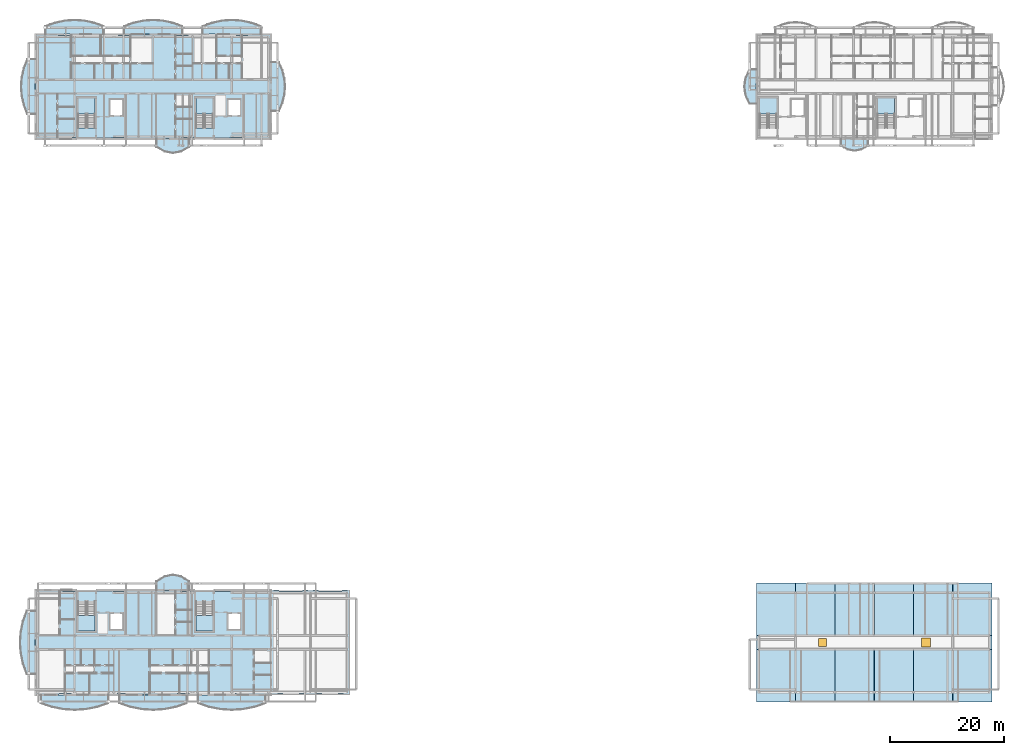
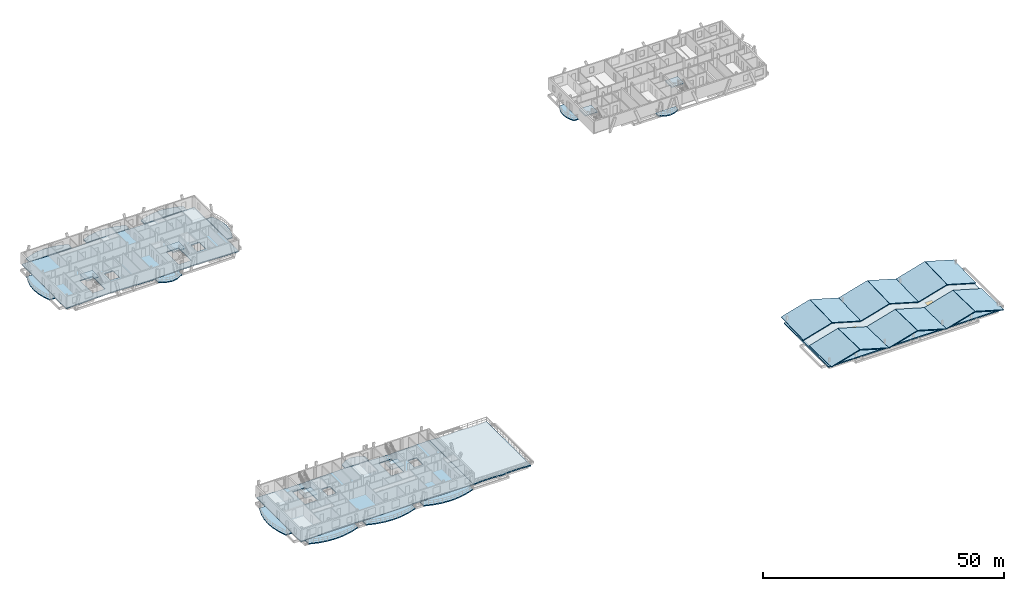
# One storey, part 8 of 33: 35 slabs, 2 windows, 2 openings, 6 elements without a shape of their own.
"""IFC4 building model written with IfcOpenShell, lengths in metres."""

from ifc_helpers import new_model, si_unit, direction, frame, origin, origin_2d, place, context, subcontext, project, spatial, polyline, rectangle, outline, extrude, material, layer, layer_set, type_object, element, fill, aggregate, save


model = new_model("IFC4")

# Units and contexts
model_context = context("Model", 3, precision=1e-05, world=origin(), true_north=direction((0.0, 1.0)))
body_context = subcontext(model_context, "Body", "Model", "MODEL_VIEW")
ifc_project = project(units=[si_unit("LENGTHUNIT", "METRE"), si_unit("AREAUNIT", "SQUARE_METRE"), si_unit("VOLUMEUNIT", "CUBIC_METRE"), si_unit("PLANEANGLEUNIT", "RADIAN"), si_unit("MASSUNIT", "GRAM", prefix="KILO")], contexts=[model_context])

# Site, building, storey
site_placement = place(None, origin())
site = spatial("IfcSite", under=ifc_project, at=site_placement, CompositionType="ELEMENT")
building_placement = place(site_placement, origin())
building = spatial("IfcBuilding", under=site, at=building_placement, Name="Zavelmont Quarter", CompositionType="ELEMENT")
storey_placement = place(building_placement, frame((0.0, 0.0, 30.39990234375)))
storey = spatial("IfcBuildingStorey", under=building, at=storey_placement, Name="L09", CompositionType="ELEMENT", Elevation=30.39990234375)

# Slabs
ifc_material_1 = material(Name="White architectural precast concrete C40/50", Category="concrete")
ifc_layer_1 = layer(ifc_material_1, 0.199951171875)
ifc_layer_set_1 = layer_set([ifc_layer_1], Name="White architectural precast concrete C40/50")
slab_type_1 = type_object("IfcSlabType", Name="CRDN1", PredefinedType="ROOF", material=ifc_layer_set_1)
slab_1_placement = place(storey_placement, frame((126.60009765625, 10.375, 0.47509765625), z_axis=(-0.278264021149, -0.02588048519, 0.960155890999), x_axis=(0.960477608597, 0.0, 0.278357258542)))
element("IfcSlab", 1, at=slab_1_placement, inside=storey, type_object=slab_type_1, Name="Block D pleated crown roof CRDN1", PredefinedType="ROOF", context=body_context, shape_type="SweptSolid", body=[
    extrude(outline(polyline([(0.0, 0.0), (7.1525592948565135, -6.938893903907228e-18), (7.222148609492001, 9.278010067540764), (0.06958931463548745, 9.278010067540764), (0.0, 0.0)])), origin(), (0.0, 0.0, -1.0), 0.199951171875),
])
ifc_layer_2 = layer(ifc_material_1, 0.199951171875)
ifc_layer_set_2 = layer_set([ifc_layer_2], Name="White architectural precast concrete C40/50")
slab_type_2 = type_object("IfcSlabType", Name="CRDN2", PredefinedType="ROOF", material=ifc_layer_set_2)
slab_2_placement = place(storey_placement, frame((133.530029296875, 10.375, 2.466064453125), z_axis=(0.278264021149, -0.02588048519, 0.960155890999), x_axis=(0.960477608597, 0.0, -0.278357258542)))
element("IfcSlab", 2, at=slab_2_placement, inside=storey, type_object=slab_type_2, Name="Block D pleated crown roof CRDN2", PredefinedType="ROOF", context=body_context, shape_type="SweptSolid", body=[
    extrude(outline(polyline([(0.0, 0.0), (7.1525592948565135, 6.938893903907228e-18), (7.0829699802210255, 9.278010067540764), (-0.06958931463548745, 9.278010067540764), (0.0, 0.0)])), origin(), (0.0, 0.0, -1.0), 0.199951171875),
])
ifc_layer_3 = layer(ifc_material_1, 0.199951171875)
ifc_layer_set_3 = layer_set([ifc_layer_3], Name="White architectural precast concrete C40/50")
slab_type_3 = type_object("IfcSlabType", Name="CRDN3", PredefinedType="ROOF", material=ifc_layer_set_3)
slab_3_placement = place(storey_placement, frame((140.39990234375, 10.375, 0.47509765625), z_axis=(-0.278254898233, -0.025880556403, 0.960158532957), x_axis=(0.960480253212, 0.0, 0.278348133082)))
element("IfcSlab", 3, at=slab_3_placement, inside=storey, type_object=slab_type_3, Name="Block D pleated crown roof CRDN3", PredefinedType="ROOF", context=body_context, shape_type="SweptSolid", body=[
    extrude(outline(polyline([(0.0, 0.0), (7.1527937867830085, 6.938893903907228e-18), (7.222380820053628, 9.278010084651765), (0.06958703327061955, 9.278010084651765), (0.0, 0.0)])), origin(), (0.0, 0.0, -1.0), 0.199951171875),
])
ifc_layer_4 = layer(ifc_material_1, 0.199951171875)
ifc_layer_set_4 = layer_set([ifc_layer_4], Name="White architectural precast concrete C40/50")
slab_type_4 = type_object("IfcSlabType", Name="CRDN4", PredefinedType="ROOF", material=ifc_layer_set_4)
slab_4_placement = place(storey_placement, frame((147.330078125, 10.375, 2.466064453125), z_axis=(0.278264021149, -0.02588048519, 0.960155890999), x_axis=(0.960477608597, 0.0, -0.278357258542)))
element("IfcSlab", 4, at=slab_4_placement, inside=storey, type_object=slab_type_4, Name="Block D pleated crown roof CRDN4", PredefinedType="ROOF", context=body_context, shape_type="SweptSolid", body=[
    extrude(outline(polyline([(0.0, 0.0), (7.1525592948565135, 6.938893903907228e-18), (7.0829699802210255, 9.278010067540764), (-0.06958931463548745, 9.278010067540764), (0.0, 0.0)])), origin(), (0.0, 0.0, -1.0), 0.199951171875),
])
ifc_layer_5 = layer(ifc_material_1, 0.199951171875)
ifc_layer_set_5 = layer_set([ifc_layer_5], Name="White architectural precast concrete C40/50")
slab_type_5 = type_object("IfcSlabType", Name="CRDN5", PredefinedType="ROOF", material=ifc_layer_set_5)
slab_5_placement = place(storey_placement, frame((154.199951171875, 10.375, 0.47509765625), z_axis=(-0.278254898233, -0.025880556403, 0.960158532957), x_axis=(0.960480253212, 0.0, 0.278348133082)))
element("IfcSlab", 5, at=slab_5_placement, inside=storey, type_object=slab_type_5, Name="Block D pleated crown roof CRDN5", PredefinedType="ROOF", context=body_context, shape_type="SweptSolid", body=[
    extrude(outline(polyline([(0.0, 0.0), (7.1527937867830085, 6.938893903907228e-18), (7.222380820053628, 9.278010084651765), (0.06958703327061955, 9.278010084651765), (0.0, 0.0)])), origin(), (0.0, 0.0, -1.0), 0.199951171875),
])
ifc_layer_6 = layer(ifc_material_1, 0.199951171875)
ifc_layer_set_6 = layer_set([ifc_layer_6], Name="White architectural precast concrete C40/50")
slab_type_6 = type_object("IfcSlabType", Name="CRDN6", PredefinedType="ROOF", material=ifc_layer_set_6)
slab_6_placement = place(storey_placement, frame((161.1298828125, 10.375, 2.466064453125), z_axis=(0.278254898233, -0.025880556403, 0.960158532957), x_axis=(0.960480253212, 0.0, -0.278348133082)))
element("IfcSlab", 6, at=slab_6_placement, inside=storey, type_object=slab_type_6, Name="Block D pleated crown roof CRDN6", PredefinedType="ROOF", context=body_context, shape_type="SweptSolid", body=[
    extrude(outline(polyline([(0.0, 0.0), (7.1527937867830085, -6.938893903907228e-18), (7.083206753512389, 9.278010084651765), (-0.06958703327061955, 9.278010084651765), (0.0, 0.0)])), origin(), (0.0, 0.0, -1.0), 0.199951171875),
])
ifc_layer_7 = layer(ifc_material_1, 0.199951171875)
ifc_layer_set_7 = layer_set([ifc_layer_7], Name="White architectural precast concrete C40/50")
slab_type_7 = type_object("IfcSlabType", Name="CRDS1", PredefinedType="ROOF", material=ifc_layer_set_7)
slab_7_placement = place(storey_placement, frame((126.60009765625, -1.25, 0.72509765625), z_axis=(-0.278263518709, 0.02595011236, 0.960154157323), x_axis=(0.960477608597, 0.0, 0.278357258542)))
element("IfcSlab", 7, at=slab_7_placement, inside=storey, type_object=slab_type_7, Name="Block D pleated crown roof CRDS1", PredefinedType="ROOF", context=body_context, shape_type="SweptSolid", body=[
    extrude(outline(polyline([(0.0, 0.0), (7.1525592948565135, 6.938893903907228e-18), (7.0829699802210255, 9.253116087420961), (-0.06958931463548745, 9.253116087420961), (0.0, 0.0)])), origin(), (0.0, 0.0, -1.0), 0.199951171875),
])
ifc_layer_8 = layer(ifc_material_1, 0.199951171875)
ifc_layer_set_8 = layer_set([ifc_layer_8], Name="White architectural precast concrete C40/50")
slab_type_8 = type_object("IfcSlabType", Name="CRDS2", PredefinedType="ROOF", material=ifc_layer_set_8)
slab_8_placement = place(storey_placement, frame((133.530029296875, -1.25, 2.716064453125), z_axis=(0.278263518709, 0.02595011236, 0.960154157323), x_axis=(0.960477608597, 0.0, -0.278357258542)))
element("IfcSlab", 8, at=slab_8_placement, inside=storey, type_object=slab_type_8, Name="Block D pleated crown roof CRDS2", PredefinedType="ROOF", context=body_context, shape_type="SweptSolid", body=[
    extrude(outline(polyline([(0.0, 0.0), (7.1525592948565135, -6.938893903907228e-18), (7.222148609492001, 9.25311608742096), (0.06958931463548745, 9.253116087420961), (0.0, 0.0)])), origin(), (0.0, 0.0, -1.0), 0.199951171875),
])
ifc_layer_9 = layer(ifc_material_1, 0.199951171875)
ifc_layer_set_9 = layer_set([ifc_layer_9], Name="White architectural precast concrete C40/50")
slab_type_9 = type_object("IfcSlabType", Name="CRDS3", PredefinedType="ROOF", material=ifc_layer_set_9)
slab_9_placement = place(storey_placement, frame((140.39990234375, -1.25, 0.72509765625), z_axis=(-0.278254395807, 0.025950183764, 0.960156799266), x_axis=(0.960480253212, 0.0, 0.278348133082)))
element("IfcSlab", 9, at=slab_9_placement, inside=storey, type_object=slab_type_9, Name="Block D pleated crown roof CRDS3", PredefinedType="ROOF", context=body_context, shape_type="SweptSolid", body=[
    extrude(outline(polyline([(0.0, 0.0), (7.1527937867830085, 0.0), (7.083206753512389, 9.253116104577991), (-0.06958703327061955, 9.253116104577991), (0.0, 0.0)])), origin(), (0.0, 0.0, -1.0), 0.199951171875),
])
ifc_layer_10 = layer(ifc_material_1, 0.199951171875)
ifc_layer_set_10 = layer_set([ifc_layer_10], Name="White architectural precast concrete C40/50")
slab_type_10 = type_object("IfcSlabType", Name="CRDS4", PredefinedType="ROOF", material=ifc_layer_set_10)
slab_10_placement = place(storey_placement, frame((147.330078125, -1.25, 2.716064453125), z_axis=(0.278263518709, 0.02595011236, 0.960154157323), x_axis=(0.960477608597, 0.0, -0.278357258542)))
element("IfcSlab", 10, at=slab_10_placement, inside=storey, type_object=slab_type_10, Name="Block D pleated crown roof CRDS4", PredefinedType="ROOF", context=body_context, shape_type="SweptSolid", body=[
    extrude(outline(polyline([(0.0, 0.0), (7.1525592948565135, -6.938893903907228e-18), (7.222148609492001, 9.25311608742096), (0.06958931463548745, 9.253116087420961), (0.0, 0.0)])), origin(), (0.0, 0.0, -1.0), 0.199951171875),
])
ifc_layer_11 = layer(ifc_material_1, 0.199951171875)
ifc_layer_set_11 = layer_set([ifc_layer_11], Name="White architectural precast concrete C40/50")
slab_type_11 = type_object("IfcSlabType", Name="CRDS5", PredefinedType="ROOF", material=ifc_layer_set_11)
slab_11_placement = place(storey_placement, frame((154.199951171875, -1.25, 0.72509765625), z_axis=(-0.278254395807, 0.025950183764, 0.960156799266), x_axis=(0.960480253212, 0.0, 0.278348133082)))
element("IfcSlab", 11, at=slab_11_placement, inside=storey, type_object=slab_type_11, Name="Block D pleated crown roof CRDS5", PredefinedType="ROOF", context=body_context, shape_type="SweptSolid", body=[
    extrude(outline(polyline([(0.0, 0.0), (7.1527937867830085, 0.0), (7.083206753512389, 9.253116104577991), (-0.06958703327061955, 9.253116104577991), (0.0, 0.0)])), origin(), (0.0, 0.0, -1.0), 0.199951171875),
])
ifc_layer_12 = layer(ifc_material_1, 0.199951171875)
ifc_layer_set_12 = layer_set([ifc_layer_12], Name="White architectural precast concrete C40/50")
slab_type_12 = type_object("IfcSlabType", Name="CRDS6", PredefinedType="ROOF", material=ifc_layer_set_12)
slab_12_placement = place(storey_placement, frame((161.1298828125, -1.25, 2.716064453125), z_axis=(0.278254395807, 0.025950183764, 0.960156799266), x_axis=(0.960480253212, 0.0, -0.278348133082)))
element("IfcSlab", 12, at=slab_12_placement, inside=storey, type_object=slab_type_12, Name="Block D pleated crown roof CRDS6", PredefinedType="ROOF", context=body_context, shape_type="SweptSolid", body=[
    extrude(outline(polyline([(0.0, 0.0), (7.1527937867830085, 0.0), (7.222380820053628, 9.253116104577991), (0.06958703327061955, 9.253116104577991), (0.0, 0.0)])), origin(), (0.0, 0.0, -1.0), 0.199951171875),
])
ifc_layer_13 = layer(ifc_material_1, 0.235107421875)
ifc_layer_set_13 = layer_set([ifc_layer_13], Name="White architectural precast concrete C40/50")
slab_type_13 = type_object("IfcSlabType", Name="SL-BL180", PredefinedType="FLOOR", material=ifc_layer_set_13)
slab_13_placement = place(storey_placement, frame((0.0, 0.0, -0.23486328125)))
element("IfcSlab", 13, at=slab_13_placement, inside=storey, type_object=slab_type_13, Name="L09 Block A street vase 2 balcony SL-BL180", PredefinedType="FLOOR", context=body_context, shape_type="SweptSolid", body=[
    extrude(outline(polyline([(14.796630859375, -0.02001953125), (14.796630859375, -1.4912109375), (16.764404296875, -2.14208984375), (18.732177734375, -2.53271484375), (20.699951171875, -2.6630859375), (22.667724609375, -2.53271484375), (24.635498046875, -2.14208984375), (26.603515625, -1.4912109375), (26.603515625, -0.02001953125), (14.796630859375, -0.02001953125)])), origin(), (0.0, 0.0, 1.0), 0.23486328125),
])
slab_14_placement = place(storey_placement, frame((0.0, 0.0, -0.23486328125)))
element("IfcSlab", 14, at=slab_14_placement, inside=storey, type_object=slab_type_13, Name="L09 Block A boulevard vase balcony SL-BL180", PredefinedType="FLOOR", context=body_context, shape_type="SweptSolid", body=[
    extrude(outline(polyline([(-0.02001953125, 14.73291015625), (-1.4912109375, 14.73291015625), (-2.14208984375, 12.888671875), (-2.53271484375, 11.044189453125), (-2.6630859375, 9.199951171875), (-2.53271484375, 7.355712890625), (-2.14208984375, 5.511474609375), (-1.4912109375, 3.6669921875), (-0.02001953125, 3.6669921875), (-0.02001953125, 14.73291015625)])), origin(), (0.0, 0.0, 1.0), 0.23486328125),
])
slab_15_placement = place(storey_placement, frame((0.0, 0.0, -0.23486328125)))
element("IfcSlab", 15, at=slab_15_placement, inside=storey, type_object=slab_type_13, Name="L09 Block B street vase 2 balcony SL-BL180", PredefinedType="FLOOR", context=body_context, shape_type="SweptSolid", body=[
    extrude(outline(polyline([(25.796142578125, 116.02001953125), (25.796142578125, 117.385009765625), (24.097412109375, 117.989501953125), (22.398681640625, 118.35205078125), (20.699951171875, 118.472900390625), (19.001220703125, 118.35205078125), (17.302490234375, 117.989501953125), (15.603759765625, 117.385009765625), (15.603759765625, 116.02001953125), (25.796142578125, 116.02001953125)])), origin(), (0.0, 0.0, 1.0), 0.23486328125),
])
slab_16_placement = place(storey_placement, frame((0.0, 0.0, -0.23486328125)))
element("IfcSlab", 16, at=slab_16_placement, inside=storey, type_object=slab_type_13, Name="L09 Block B boulevard vase balcony SL-BL180", PredefinedType="FLOOR", context=body_context, shape_type="SweptSolid", body=[
    extrude(outline(polyline([(-0.02001953125, 111.60400390625), (-1.385009765625, 111.60400390625), (-1.989501953125, 110.002685546875), (-2.35205078125, 108.4013671875), (-2.472900390625, 106.800048828125), (-2.35205078125, 105.198486328125), (-1.989501953125, 103.597412109375), (-1.385009765625, 101.995849609375), (-0.02001953125, 101.995849609375), (-0.02001953125, 111.60400390625)])), origin(), (0.0, 0.0, 1.0), 0.23486328125),
])
ifc_layer_14 = layer(ifc_material_1, 0.2451171875)
ifc_layer_set_14 = layer_set([ifc_layer_14], Name="White architectural precast concrete C40/50")
slab_type_14 = type_object("IfcSlabType", Name="SL-BL200", PredefinedType="FLOOR", material=ifc_layer_set_14)
slab_17_placement = place(storey_placement, frame((0.0, 0.0, -0.244873046875)))
element("IfcSlab", 17, at=slab_17_placement, inside=storey, type_object=slab_type_14, Name="L09 Block A street vase 1 balcony SL-BL200", PredefinedType="FLOOR", context=body_context, shape_type="SweptSolid", body=[
    extrude(outline(polyline([(0.99658203125, -0.02001953125), (0.99658203125, -1.4912109375), (2.96435546875, -2.14208984375), (4.93212890625, -2.53271484375), (6.89990234375, -2.6630859375), (8.867919921875, -2.53271484375), (10.835693359375, -2.14208984375), (12.803466796875, -1.4912109375), (12.803466796875, -0.02001953125), (0.99658203125, -0.02001953125)])), origin(), (0.0, 0.0, 1.0), 0.244873046875),
])
slab_18_placement = place(storey_placement, frame((0.0, 0.0, -0.244873046875)))
element("IfcSlab", 18, at=slab_18_placement, inside=storey, type_object=slab_type_14, Name="L09 Block A courtyard central vase balcony SL-BL200", PredefinedType="FLOOR", context=body_context, shape_type="SweptSolid", body=[
    extrude(outline(polyline([(27.0, 18.419921875), (27.0, 19.891357421875), (25.574951171875, 20.77001953125), (24.14990234375, 21.06298828125), (22.72509765625, 20.77001953125), (21.300048828125, 19.891357421875), (21.300048828125, 18.419921875), (27.0, 18.419921875)])), origin(), (0.0, 0.0, 1.0), 0.244873046875),
])
slab_19_placement = place(storey_placement, frame((0.0, 0.0, -0.244873046875)))
element("IfcSlab", 19, at=slab_19_placement, inside=storey, type_object=slab_type_14, Name="L09 Block B street vase 1 balcony SL-BL200", PredefinedType="FLOOR", context=body_context, shape_type="SweptSolid", body=[
    extrude(outline(polyline([(11.99609375, 116.02001953125), (11.99609375, 117.385009765625), (10.297607421875, 117.989501953125), (8.5986328125, 118.35205078125), (6.89990234375, 118.472900390625), (5.201416015625, 118.35205078125), (3.50244140625, 117.989501953125), (1.8037109375, 117.385009765625), (1.8037109375, 116.02001953125), (11.99609375, 116.02001953125)])), origin(), (0.0, 0.0, 1.0), 0.244873046875),
])
slab_20_placement = place(storey_placement, frame((0.0, 0.0, -0.244873046875)))
element("IfcSlab", 20, at=slab_20_placement, inside=storey, type_object=slab_type_14, Name="L09 Block B courtyard central vase balcony SL-BL200", PredefinedType="FLOOR", context=body_context, shape_type="SweptSolid", body=[
    extrude(outline(polyline([(21.300048828125, 97.580078125), (21.300048828125, 96.215087890625), (22.72509765625, 95.39892578125), (24.14990234375, 95.126953125), (25.574951171875, 95.39892578125), (27.0, 96.215087890625), (27.0, 97.580078125), (21.300048828125, 97.580078125)])), origin(), (0.0, 0.0, 1.0), 0.244873046875),
])
slab_21_placement = place(storey_placement, frame((0.0, 0.0, -0.244873046875)))
element("IfcSlab", 21, at=slab_21_placement, inside=storey, type_object=slab_type_14, Name="L09 Block C courtyard central vase balcony SL-BL200", PredefinedType="FLOOR", context=body_context, shape_type="SweptSolid", body=[
    extrude(outline(polyline([(141.45947265625, 97.580078125), (141.45947265625, 96.43701171875), (142.65478515625, 95.75146484375), (143.85009765625, 95.52294921875), (145.04541015625, 95.75146484375), (146.240478515625, 96.43701171875), (146.240478515625, 97.580078125), (141.45947265625, 97.580078125)])), origin(), (0.0, 0.0, 1.0), 0.244873046875),
])
ifc_layer_15 = layer(ifc_material_1, 0.2548828125)
ifc_layer_set_15 = layer_set([ifc_layer_15], Name="White architectural precast concrete C40/50")
slab_type_15 = type_object("IfcSlabType", Name="SL-BL220", PredefinedType="FLOOR", material=ifc_layer_set_15)
slab_22_placement = place(storey_placement, frame((0.0, 0.0, -0.2548828125)))
element("IfcSlab", 22, at=slab_22_placement, inside=storey, type_object=slab_type_15, Name="L09 Block A street vase 3 balcony SL-BL220", PredefinedType="FLOOR", context=body_context, shape_type="SweptSolid", body=[
    extrude(outline(polyline([(28.5966796875, -0.02001953125), (28.5966796875, -1.4912109375), (30.564453125, -2.14208984375), (32.5322265625, -2.53271484375), (34.5, -2.6630859375), (36.4677734375, -2.53271484375), (38.435546875, -2.14208984375), (40.4033203125, -1.4912109375), (40.4033203125, -0.02001953125), (28.5966796875, -0.02001953125)])), origin(), (0.0, 0.0, 1.0), 0.2548828125),
])
slab_23_placement = place(storey_placement, frame((0.0, 0.0, -0.2548828125)))
element("IfcSlab", 23, at=slab_23_placement, inside=storey, type_object=slab_type_15, Name="L09 Block B street vase 3 balcony SL-BL220", PredefinedType="FLOOR", context=body_context, shape_type="SweptSolid", body=[
    extrude(outline(polyline([(39.59619140625, 116.02001953125), (39.59619140625, 117.385009765625), (37.8974609375, 117.989501953125), (36.19873046875, 118.35205078125), (34.5, 118.472900390625), (32.80126953125, 118.35205078125), (31.1025390625, 117.989501953125), (29.40380859375, 117.385009765625), (29.40380859375, 116.02001953125), (39.59619140625, 116.02001953125)])), origin(), (0.0, 0.0, 1.0), 0.2548828125),
])
slab_24_placement = place(storey_placement, frame((0.0, 0.0, -0.2548828125)))
element("IfcSlab", 24, at=slab_24_placement, inside=storey, type_object=slab_type_15, Name="L09 Block B courtyard return vase balcony SL-BL220", PredefinedType="FLOOR", context=body_context, shape_type="SweptSolid", body=[
    extrude(outline(polyline([(41.419921875, 102.51171875), (42.784912109375, 102.51171875), (43.389404296875, 103.941162109375), (43.752197265625, 105.37060546875), (43.873046875, 106.800048828125), (43.752197265625, 108.2294921875), (43.389404296875, 109.65869140625), (42.784912109375, 111.088134765625), (41.419921875, 111.088134765625), (41.419921875, 102.51171875)])), origin(), (0.0, 0.0, 1.0), 0.2548828125),
])
slab_25_placement = place(storey_placement, frame((0.0, 0.0, -0.2548828125)))
element("IfcSlab", 25, at=slab_25_placement, inside=storey, type_object=slab_type_15, Name="L09 Block C courtyard return vase balcony SL-BL220", PredefinedType="FLOOR", context=body_context, shape_type="SweptSolid", body=[
    extrude(outline(polyline([(126.580078125, 109.8212890625), (125.43701171875, 109.8212890625), (124.75146484375, 108.310791015625), (124.52294921875, 106.800048828125), (124.75146484375, 105.289306640625), (125.43701171875, 103.778564453125), (126.580078125, 103.778564453125), (126.580078125, 109.8212890625)])), origin(), (0.0, 0.0, 1.0), 0.2548828125),
])
ifc_material_2 = material(Name="Concrete C35/45", Category="concrete")
ifc_layer_16 = layer(ifc_material_2, 0.239990234375)
ifc_layer_set_16 = layer_set([ifc_layer_16], Name="Concrete C35/45")
slab_type_16 = type_object("IfcSlabType", Name="SL-FL240", PredefinedType="FLOOR", material=ifc_layer_set_16)
slab_26_placement = place(storey_placement, frame((0.0, 0.0, -0.239990234375)))
element("IfcSlab", 26, at=slab_26_placement, inside=storey, type_object=slab_type_16, Name="L09 Block A floor slab SL-FL240", PredefinedType="FLOOR", context=body_context, shape_type="SweptSolid", body=[
    extrude(outline(polyline([(0.0, 0.0), (3.449951171875, 0.070068359375), (6.89990234375, 0.2099609375), (10.35009765625, 0.280029296875), (13.800048828125, 0.2099609375), (17.25, 0.070068359375), (20.699951171875, 0.0), (24.14990234375, 0.070068359375), (27.60009765625, 0.2099609375), (31.050048828125, 0.280029296875), (34.5, 0.2099609375), (37.949951171875, 0.070068359375), (41.39990234375, 0.0), (41.39990234375, 3.679931640625), (41.39990234375, 7.360107421875), (41.39990234375, 11.0400390625), (41.39990234375, 14.719970703125), (41.39990234375, 18.39990234375), (37.949951171875, 18.330078125), (34.5, 18.18994140625), (31.050048828125, 18.1201171875), (27.60009765625, 18.18994140625), (24.14990234375, 18.330078125), (20.699951171875, 18.39990234375), (17.25, 18.330078125), (13.800048828125, 18.18994140625), (10.35009765625, 18.1201171875), (6.89990234375, 18.18994140625), (3.449951171875, 18.330078125), (0.0, 18.39990234375), (0.0, 14.719970703125), (0.0, 11.0400390625), (0.0, 7.360107421875), (0.0, 3.679931640625), (0.0, 0.0)]), holes=[polyline([(7.5, 16.425048828125), (7.5, 11.199951171875), (10.5, 11.199951171875), (10.5, 16.425048828125), (7.5, 16.425048828125)]), polyline([(13.14990234375, 11.5), (15.25, 11.5), (15.25, 14.25), (13.14990234375, 14.25), (13.14990234375, 11.5)]), polyline([(28.199951171875, 16.425048828125), (28.199951171875, 11.199951171875), (31.199951171875, 11.199951171875), (31.199951171875, 16.425048828125), (28.199951171875, 16.425048828125)]), polyline([(33.85009765625, 11.5), (35.949951171875, 11.5), (35.949951171875, 14.25), (33.85009765625, 14.25), (33.85009765625, 11.5)])]), origin(), (0.0, 0.0, 1.0), 0.239990234375),
])
slab_27_placement = place(storey_placement, frame((0.0, 0.0, -0.239990234375)))
element("IfcSlab", 27, at=slab_27_placement, inside=storey, type_object=slab_type_16, Name="L09 Block B floor slab SL-FL240", PredefinedType="FLOOR", context=body_context, shape_type="SweptSolid", body=[
    extrude(outline(polyline([(0.0, 97.60009765625), (3.449951171875, 97.669921875), (6.89990234375, 97.81005859375), (10.35009765625, 97.8798828125), (13.800048828125, 97.81005859375), (17.25, 97.669921875), (20.699951171875, 97.60009765625), (24.14990234375, 97.669921875), (27.60009765625, 97.81005859375), (31.050048828125, 97.8798828125), (34.5, 97.81005859375), (37.949951171875, 97.669921875), (41.39990234375, 97.60009765625), (41.39990234375, 101.280029296875), (41.39990234375, 104.9599609375), (41.39990234375, 108.639892578125), (41.39990234375, 112.320068359375), (41.39990234375, 116.0), (37.949951171875, 115.929931640625), (34.5, 115.7900390625), (31.050048828125, 115.719970703125), (27.60009765625, 115.7900390625), (24.14990234375, 115.929931640625), (20.699951171875, 116.0), (17.25, 115.929931640625), (13.800048828125, 115.7900390625), (10.35009765625, 115.719970703125), (6.89990234375, 115.7900390625), (3.449951171875, 115.929931640625), (0.0, 116.0), (0.0, 112.320068359375), (0.0, 108.639892578125), (0.0, 104.9599609375), (0.0, 101.280029296875), (0.0, 97.60009765625)]), holes=[polyline([(10.5, 99.574951171875), (10.5, 104.800048828125), (7.5, 104.800048828125), (7.5, 99.574951171875), (10.5, 99.574951171875)]), polyline([(13.14990234375, 101.75), (15.25, 101.75), (15.25, 104.5), (13.14990234375, 104.5), (13.14990234375, 101.75)]), polyline([(31.199951171875, 99.574951171875), (31.199951171875, 104.800048828125), (28.199951171875, 104.800048828125), (28.199951171875, 99.574951171875), (31.199951171875, 99.574951171875)]), polyline([(33.85009765625, 101.75), (35.949951171875, 101.75), (35.949951171875, 104.5), (33.85009765625, 104.5), (33.85009765625, 101.75)])]), origin(), (0.0, 0.0, 1.0), 0.239990234375),
])

# Stair, slab
stair_type = type_object("IfcStairType", Name="STR-1400-1778", PredefinedType="HALF_TURN_STAIR", material=ifc_material_2)
stair_1_placement = place(storey_placement, origin())
stair_1 = element("IfcStair", 28, at=stair_1_placement, inside=storey, type_object=stair_type, Name="L09 protected stair ST01", PredefinedType="HALF_TURN_STAIR")
ifc_layer_17 = layer(ifc_material_2, 0.199951171875)
ifc_layer_set_17 = layer_set([ifc_layer_17], Name="Concrete C35/45")
slab_type_17 = type_object("IfcSlabType", Name="SL-LND200", PredefinedType="LANDING", material=ifc_layer_set_17)
slab_28_placement = place(storey_placement, frame((0.0, 0.0, 1.400146484375)))
slab_28 = element("IfcSlab", 29, at=slab_28_placement, type_object=slab_type_17, Name="ST01 landing 1", PredefinedType="LANDING", context=body_context, shape_type="SweptSolid", body=[
    extrude(outline(polyline([(7.5, 13.969970703125), (7.5, 11.199951171875), (10.5, 11.199951171875), (10.5, 13.969970703125), (7.5, 13.969970703125)])), origin(), (0.0, 0.0, 1.0), 0.199951171875),
])
aggregate(stair_1, [slab_28])

stair_2_placement = place(storey_placement, origin())
stair_2 = element("IfcStair", 30, at=stair_2_placement, inside=storey, type_object=stair_type, Name="L09 protected stair ST02", PredefinedType="HALF_TURN_STAIR")
slab_29_placement = place(storey_placement, frame((0.0, 0.0, 1.400146484375)))
slab_29 = element("IfcSlab", 31, at=slab_29_placement, type_object=slab_type_17, Name="ST02 landing 1", PredefinedType="LANDING", context=body_context, shape_type="SweptSolid", body=[
    extrude(outline(polyline([(28.199951171875, 13.969970703125), (28.199951171875, 11.199951171875), (31.199951171875, 11.199951171875), (31.199951171875, 13.969970703125), (28.199951171875, 13.969970703125)])), origin(), (0.0, 0.0, 1.0), 0.199951171875),
])
aggregate(stair_2, [slab_29])

stair_3_placement = place(storey_placement, origin())
stair_3 = element("IfcStair", 32, at=stair_3_placement, inside=storey, type_object=stair_type, Name="L09 protected stair ST03", PredefinedType="HALF_TURN_STAIR")
slab_30_placement = place(storey_placement, frame((0.0, 0.0, 1.400146484375)))
slab_30 = element("IfcSlab", 33, at=slab_30_placement, type_object=slab_type_17, Name="ST03 landing 1", PredefinedType="LANDING", context=body_context, shape_type="SweptSolid", body=[
    extrude(outline(polyline([(10.5, 102.030029296875), (10.5, 104.800048828125), (7.5, 104.800048828125), (7.5, 102.030029296875), (10.5, 102.030029296875)])), origin(), (0.0, 0.0, 1.0), 0.199951171875),
])
aggregate(stair_3, [slab_30])

stair_4_placement = place(storey_placement, origin())
stair_4 = element("IfcStair", 34, at=stair_4_placement, inside=storey, type_object=stair_type, Name="L09 protected stair ST04", PredefinedType="HALF_TURN_STAIR")
slab_31_placement = place(storey_placement, frame((0.0, 0.0, 1.400146484375)))
slab_31 = element("IfcSlab", 35, at=slab_31_placement, type_object=slab_type_17, Name="ST04 landing 1", PredefinedType="LANDING", context=body_context, shape_type="SweptSolid", body=[
    extrude(outline(polyline([(31.199951171875, 102.030029296875), (31.199951171875, 104.800048828125), (28.199951171875, 104.800048828125), (28.199951171875, 102.030029296875), (31.199951171875, 102.030029296875)])), origin(), (0.0, 0.0, 1.0), 0.199951171875),
])
aggregate(stair_4, [slab_31])

stair_5_placement = place(storey_placement, origin())
stair_5 = element("IfcStair", 36, at=stair_5_placement, inside=storey, type_object=stair_type, Name="L09 protected stair ST05", PredefinedType="HALF_TURN_STAIR")
slab_32_placement = place(storey_placement, frame((0.0, 0.0, 1.400146484375)))
slab_32 = element("IfcSlab", 37, at=slab_32_placement, type_object=slab_type_17, Name="ST05 landing 1", PredefinedType="LANDING", context=body_context, shape_type="SweptSolid", body=[
    extrude(outline(polyline([(130.199951171875, 102.030029296875), (130.199951171875, 104.800048828125), (127.199951171875, 104.800048828125), (127.199951171875, 102.030029296875), (130.199951171875, 102.030029296875)])), origin(), (0.0, 0.0, 1.0), 0.199951171875),
])
aggregate(stair_5, [slab_32])

stair_6_placement = place(storey_placement, origin())
stair_6 = element("IfcStair", 38, at=stair_6_placement, inside=storey, type_object=stair_type, Name="L09 protected stair ST06", PredefinedType="HALF_TURN_STAIR")
slab_33_placement = place(storey_placement, frame((0.0, 0.0, 1.400146484375)))
slab_33 = element("IfcSlab", 39, at=slab_33_placement, type_object=slab_type_17, Name="ST06 landing 1", PredefinedType="LANDING", context=body_context, shape_type="SweptSolid", body=[
    extrude(outline(polyline([(150.89990234375, 102.030029296875), (150.89990234375, 104.800048828125), (147.89990234375, 104.800048828125), (147.89990234375, 102.030029296875), (150.89990234375, 102.030029296875)])), origin(), (0.0, 0.0, 1.0), 0.199951171875),
])
aggregate(stair_6, [slab_33])

# Slab, openings, windows
ifc_layer_18 = layer(ifc_material_2, 0.2900390625)
ifc_layer_set_18 = layer_set([ifc_layer_18], Name="Concrete C35/45")
slab_type_18 = type_object("IfcSlabType", Name="SL-RF290", PredefinedType="ROOF", material=ifc_layer_set_18)
slab_34_placement = place(storey_placement, frame((0.0, 0.0, -0.289794921875)))
slab_34 = element("IfcSlab", 40, at=slab_34_placement, inside=storey, type_object=slab_type_18, Name="L09 Block D main roof slab SL-RF290", PredefinedType="ROOF", context=body_context, shape_type="SweptSolid", body=[
    extrude(outline(polyline([(126.60009765625, 0.0), (168.0, 0.0), (168.0, 18.39990234375), (126.60009765625, 18.39990234375), (126.60009765625, 0.0)])), origin(), (0.0, 0.0, 1.0), 0.289794921875),
])
opening_1_placement = place(slab_34_placement, frame((138.19189453125, 9.199951171875, 0.0)))
opening_1 = element("IfcOpeningElement", 41, at=opening_1_placement, cuts=slab_34, Name="Opening SK01", PredefinedType="OPENING", context=body_context, shape_type="SweptSolid", body=[
    extrude(rectangle(XDim=1.39990234375, YDim=1.39990234375, at=origin_2d()), frame((0.0, 0.0, -0.011962890625)), (0.0, 0.0, 1.0), 0.313720703125),
])
opening_2_placement = place(slab_34_placement, frame((156.407958984375, 9.199951171875, 0.0)))
opening_2 = element("IfcOpeningElement", 42, at=opening_2_placement, cuts=slab_34, Name="Opening SK02", PredefinedType="OPENING", context=body_context, shape_type="SweptSolid", body=[
    extrude(rectangle(XDim=1.60009765625, YDim=1.60009765625, at=origin_2d()), frame((0.0, 0.0, -0.011962890625)), (0.0, 0.0, 1.0), 0.313720703125),
])
ifc_material_3 = material(Name="Double low-E insulated glazing in thermally broken aluminium frame", Category="aluminium")
window_type_1 = type_object("IfcWindowType", Name="SK01", PartitioningType="SINGLE_PANEL", PredefinedType="SKYLIGHT", material=ifc_material_3)
window_1_placement = place(opening_1_placement, frame((0.0, 0.0, 0.23974609375)))
window_1 = element("IfcWindow", 43, at=window_1_placement, inside=storey, type_object=window_type_1, Name="Block D corridor skylight SK01", OverallHeight=1.39990234375, OverallWidth=1.39990234375, PartitioningType="SINGLE_PANEL", PredefinedType="SKYLIGHT", context=body_context, shape_type="SweptSolid", body=[
    extrude(rectangle(XDim=1.39990234375, YDim=1.39990234375, at=origin_2d()), origin(), (0.0, 0.0, 1.0), 0.050048828125),
])
fill(opening_1, window_1)
window_type_2 = type_object("IfcWindowType", Name="SK02", PartitioningType="SINGLE_PANEL", PredefinedType="SKYLIGHT", material=ifc_material_3)
window_2_placement = place(opening_2_placement, frame((0.0, 0.0, 0.23974609375)))
window_2 = element("IfcWindow", 44, at=window_2_placement, inside=storey, type_object=window_type_2, Name="Block D corridor skylight SK02", OverallHeight=1.60009765625, OverallWidth=1.60009765625, PartitioningType="SINGLE_PANEL", PredefinedType="SKYLIGHT", context=body_context, shape_type="SweptSolid", body=[
    extrude(rectangle(XDim=1.60009765625, YDim=1.60009765625, at=origin_2d()), origin(), (0.0, 0.0, 1.0), 0.050048828125),
])
fill(opening_2, window_2)

# Slab
ifc_layer_19 = layer(ifc_material_2, 0.2900390625)
ifc_layer_set_19 = layer_set([ifc_layer_19], Name="Concrete C35/45")
slab_type_19 = type_object("IfcSlabType", Name="SL-TR290", PredefinedType="FLOOR", material=ifc_layer_set_19)
slab_35_placement = place(storey_placement, frame((0.0, 0.0, -0.289794921875)))
element("IfcSlab", 45, at=slab_35_placement, inside=storey, type_object=slab_type_19, Name="L09 Block A setback terrace roof slab SL-TR290", PredefinedType="FLOOR", context=body_context, shape_type="SweptSolid", body=[
    extrude(outline(polyline([(41.449951171875, 0.0), (43.74169921875, 0.2099609375), (46.033203125, 0.2099609375), (48.324951171875, 0.0), (50.61669921875, 0.2099609375), (52.908203125, 0.2099609375), (55.199951171875, 0.0), (55.199951171875, 3.679931640625), (55.199951171875, 7.360107421875), (55.199951171875, 11.0400390625), (55.199951171875, 14.719970703125), (55.199951171875, 18.39990234375), (52.908203125, 18.18994140625), (50.61669921875, 18.18994140625), (48.324951171875, 18.39990234375), (46.033203125, 18.18994140625), (43.74169921875, 18.18994140625), (41.449951171875, 18.39990234375), (41.449951171875, 14.719970703125), (41.449951171875, 11.0400390625), (41.449951171875, 7.360107421875), (41.449951171875, 3.679931640625), (41.449951171875, 0.0)])), origin(), (0.0, 0.0, 1.0), 0.289794921875),
])

save(model, "model.ifc")
